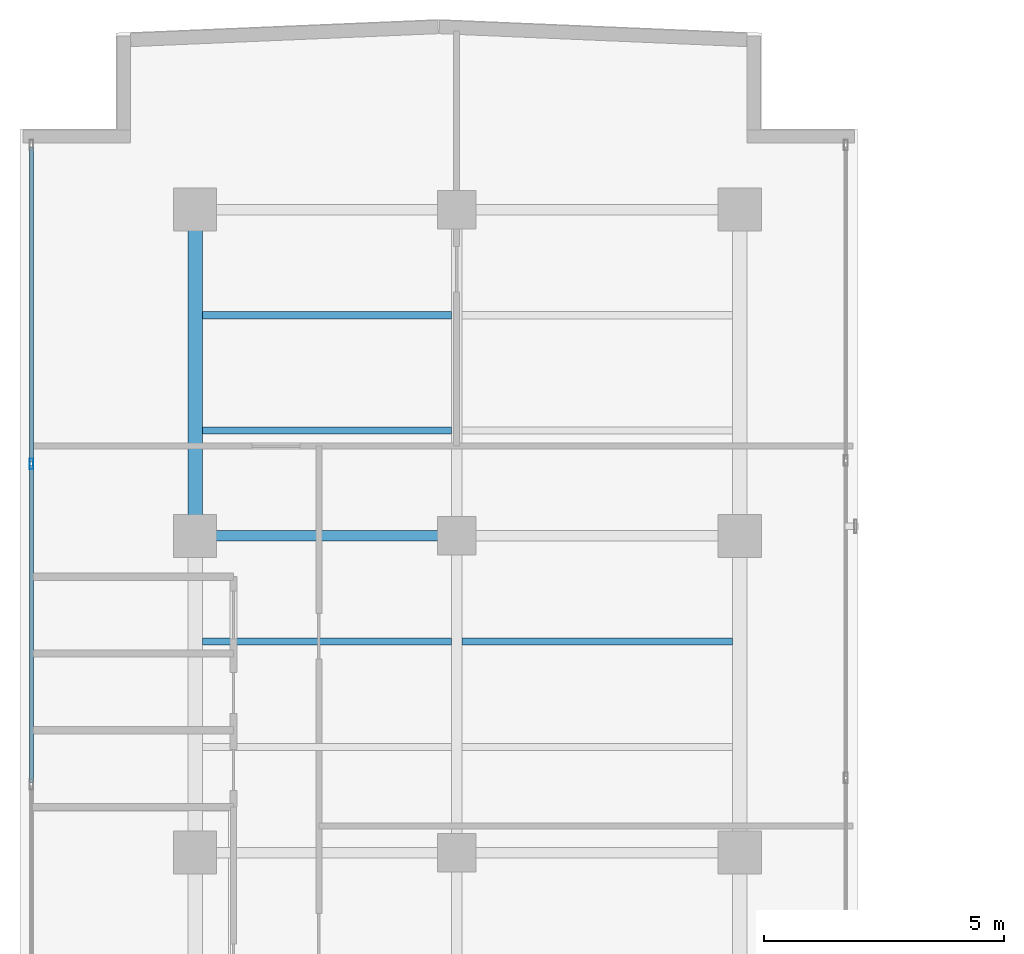
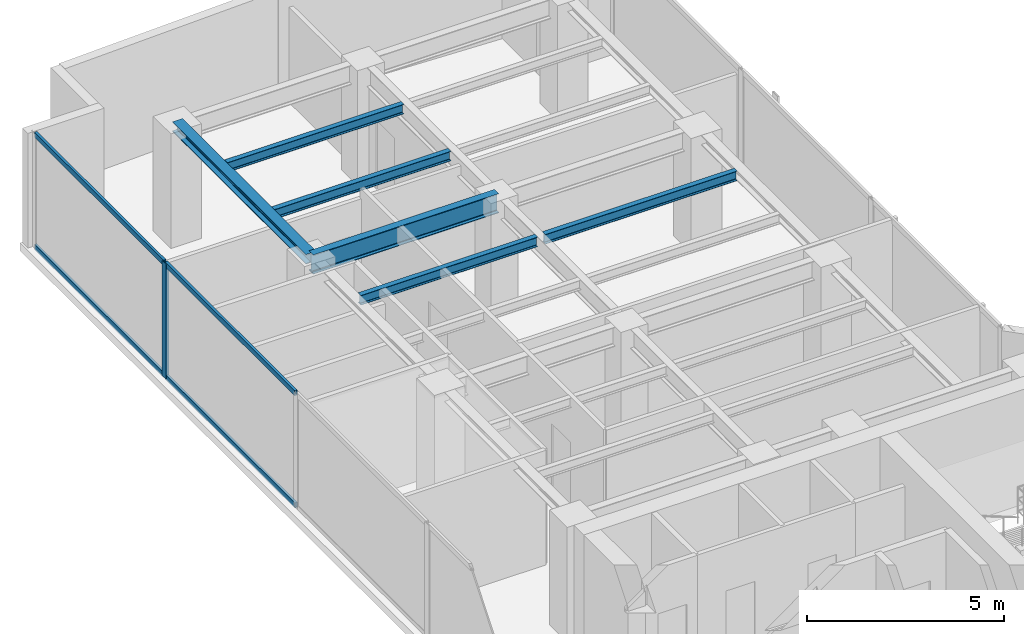
# One storey, part 13 of 24: 6 beams, 5 members, 1 element without a shape of its own.
"""IFC4 building model written with IfcOpenShell, lengths in metres."""

import ifcopenshell
import ifcopenshell.guid

model = None  # the IFC model being written
_history = None  # IfcOwnerHistory: only IFC2X3 demands one
_inside = {}  # id of a spatial element -> (the spatial element, [elements in it])
_under = {}  # id of a project, library or spatial element -> (it, [spatial elements below it])
_declared = {}  # id of a project -> (the project, [libraries it declares])
_typed = {}  # id of a type object -> (the type object, [elements of that type])
_made_of = {}  # id of a material, layer set ... -> (it, [elements and type objects made of it])


def new_model(schema):
    """Start an empty IFC model of exactly this schema.

    Asked for "IFC4X3", IfcOpenShell would pick the latest addendum, in which some entities
    have other attributes; the version numbers below select the first issue.
    IFC2X3 requires an IfcOwnerHistory on every rooted entity: one is made here for all.
    """
    global model, _history
    if schema == "IFC4X3":
        model = ifcopenshell.file(schema_version=(4, 3, 0, 0))
    else:
        model = ifcopenshell.file(schema=schema)
    _inside.clear()
    _under.clear()
    _declared.clear()
    _typed.clear()
    _made_of.clear()
    _history = None
    if model.schema == "IFC2X3":
        org = make("IfcOrganization", Name="unknown")
        user = make(
            "IfcPersonAndOrganization",
            ThePerson=make("IfcPerson", FamilyName="unknown"),
            TheOrganization=org,
        )
        app = make(
            "IfcApplication",
            ApplicationDeveloper=org,
            Version="unknown",
            ApplicationFullName="unknown",
            ApplicationIdentifier="unknown",
        )
        _history = make(
            "IfcOwnerHistory",
            OwningUser=user,
            OwningApplication=app,
            ChangeAction="ADDED",
            CreationDate=0,
        )
    return model


def make(cls, **values):
    """One entity of the class cls with the attributes given. An attribute that is None is left unset."""
    return model.create_entity(
        cls, **{name: value for name, value in values.items() if value is not None}
    )


def rooted(cls, **values):
    """An entity with a GlobalId (a new one), such as an element, a storey or a relation."""
    return make(cls, GlobalId=ifcopenshell.guid.new(), OwnerHistory=_history, **values)


def si_unit(unit_type, name, prefix=None):
    """IfcSIUnit, for example si_unit("LENGTHUNIT", "METRE", prefix="MILLI")."""
    return make("IfcSIUnit", UnitType=unit_type, Prefix=prefix, Name=name)


def assignment(units):
    """IfcUnitAssignment: the units of a project."""
    return None if units is None else make("IfcUnitAssignment", Units=units)


def point(xyz):
    """IfcCartesianPoint."""
    return None if xyz is None else make("IfcCartesianPoint", Coordinates=xyz)


def direction(xyz):
    """IfcDirection."""
    return None if xyz is None else make("IfcDirection", DirectionRatios=xyz)


def frame(location, z_axis=None, x_axis=None):
    """IfcAxis2Placement3D, a coordinate frame: its origin and axes. An axis left out is left unset."""
    return make(
        "IfcAxis2Placement3D",
        Location=point(location),
        Axis=direction(z_axis),
        RefDirection=direction(x_axis),
    )


def frame_2d(location, x_axis=None):
    """IfcAxis2Placement2D, a coordinate frame in the plane: its origin and x axis."""
    return make(
        "IfcAxis2Placement2D", Location=point(location), RefDirection=direction(x_axis)
    )


def origin():
    """The frame at (0, 0, 0) with its axes left unset."""
    return frame((0.0, 0.0, 0.0))


def origin_with_axes():
    """The frame at (0, 0, 0) with the z axis (0, 0, 1) and the x axis (1, 0, 0) written out."""
    return frame((0.0, 0.0, 0.0), z_axis=(0.0, 0.0, 1.0), x_axis=(1.0, 0.0, 0.0))


def origin_2d():
    """The frame at (0, 0) in the plane with its x axis left unset."""
    return frame_2d((0.0, 0.0))


def place(relative_to, where):
    """IfcLocalPlacement: puts the frame where relative to a parent placement (None: the world)."""
    return make(
        "IfcLocalPlacement", PlacementRelTo=relative_to, RelativePlacement=where
    )


def context(
    kind, dimensions, precision=None, world=None, true_north=None, identifier=None
):
    """IfcGeometricRepresentationContext, for example the 3D "Model" context."""
    return make(
        "IfcGeometricRepresentationContext",
        ContextIdentifier=identifier,
        ContextType=kind,
        CoordinateSpaceDimension=dimensions,
        Precision=precision,
        WorldCoordinateSystem=world,
        TrueNorth=true_north,
    )


def subcontext(parent, identifier, kind, view, scale=None):
    """IfcGeometricRepresentationSubContext, for example "Body" below "Model"."""
    return make(
        "IfcGeometricRepresentationSubContext",
        ContextIdentifier=identifier,
        ContextType=kind,
        ParentContext=parent,
        TargetScale=scale,
        TargetView=view,
    )


def project(units=None, contexts=None):
    """IfcProject with its units and contexts."""
    return rooted(
        "IfcProject",
        Name="project",
        RepresentationContexts=contexts,
        UnitsInContext=assignment(units),
    )


def spatial(cls, under=None, at=None, **own):
    """A site, building, storey or space (cls), placed at a placement, below another one or the project."""
    s = rooted(cls, ObjectPlacement=at, **own)
    if under is not None:
        _under.setdefault(under.id(), (under, []))[1].append(s)
    return s


def profile(cls, at=None, kind="AREA", **sizes):
    """A parametric profile (cls). Its sizes go by their IFC names, for example OverallWidth=200.0."""
    return make(cls, ProfileType=kind, Position=at, **sizes)


def hollow_rectangle(**sizes):
    """IfcRectangleHollowProfileDef."""
    return profile("IfcRectangleHollowProfileDef", **sizes)


def i_section(**sizes):
    """IfcIShapeProfileDef."""
    return profile("IfcIShapeProfileDef", **sizes)


def extrude(swept, where, along, depth):
    """IfcExtrudedAreaSolid: the profile swept, set in the frame where, extruded along a direction by depth."""
    return make(
        "IfcExtrudedAreaSolid",
        SweptArea=swept,
        Position=where,
        ExtrudedDirection=direction(along),
        Depth=depth,
    )


def shape(context_of_items, identifier, shape_type, items):
    """IfcShapeRepresentation: the items that make up one representation, for example the "Body"."""
    return make(
        "IfcShapeRepresentation",
        ContextOfItems=context_of_items,
        RepresentationIdentifier=identifier,
        RepresentationType=shape_type,
        Items=items,
    )


def source(mapping_origin, context_of_items, identifier, shape_type, items):
    """IfcRepresentationMap: a shape defined once, which mapped items show again and again."""
    return make(
        "IfcRepresentationMap",
        MappingOrigin=mapping_origin,
        MappedRepresentation=shape(context_of_items, identifier, shape_type, items),
    )


def transform(
    local_origin,
    x_axis=None,
    y_axis=None,
    z_axis=None,
    scale=None,
    scale2=None,
    scale3=None,
    uniform=True,
):
    """IfcCartesianTransformationOperator3D, or its non-uniform kind. x_axis, y_axis, z_axis: its Axis1, 2, 3."""
    if uniform:
        return make(
            "IfcCartesianTransformationOperator3D",
            Axis1=direction(x_axis),
            Axis2=direction(y_axis),
            LocalOrigin=point(local_origin),
            Scale=scale,
            Axis3=direction(z_axis),
        )
    return make(
        "IfcCartesianTransformationOperator3DnonUniform",
        Axis1=direction(x_axis),
        Axis2=direction(y_axis),
        LocalOrigin=point(local_origin),
        Scale=scale,
        Axis3=direction(z_axis),
        Scale2=scale2,
        Scale3=scale3,
    )


def mapped(mapping_source, mapping_target):
    """IfcMappedItem: shows the shape of a source again, moved by a transform."""
    return make(
        "IfcMappedItem", MappingSource=mapping_source, MappingTarget=mapping_target
    )


def material(Name=None, Category=None):
    """IfcMaterial."""
    return make("IfcMaterial", Name=Name, Category=Category)


def layer(
    of_material, thickness, ventilated=None, Name=None, Category=None, Priority=None
):
    """IfcMaterialLayer: one layer of a wall or slab, of a material (None: an air gap)."""
    return make(
        "IfcMaterialLayer",
        Material=of_material,
        LayerThickness=thickness,
        IsVentilated=ventilated,
        Name=Name,
        Category=Category,
        Priority=Priority,
    )


def layer_set(layers, Name=None):
    """IfcMaterialLayerSet."""
    return make("IfcMaterialLayerSet", MaterialLayers=layers, LayerSetName=Name)


def material_profile(
    of_material, cross_section, Name=None, Category=None, Priority=None
):
    """IfcMaterialProfile: a cross section and its material."""
    return make(
        "IfcMaterialProfile",
        Name=Name,
        Material=of_material,
        Profile=cross_section,
        Priority=Priority,
        Category=Category,
    )


def profile_set(profiles, Name=None, composite=None):
    """IfcMaterialProfileSet."""
    return make(
        "IfcMaterialProfileSet",
        Name=Name,
        MaterialProfiles=profiles,
        CompositeProfile=composite,
    )


def made_of(thing, what):
    """Note that an element or type object is made of a material, layer set ...; save() writes the relation."""
    if what is not None:
        _made_of.setdefault(what.id(), (what, []))[1].append(thing)
    return thing


def type_object(cls, material=None, **own):
    """A type object (cls), such as IfcWallType, which elements share."""
    return made_of(rooted(cls, **own), material)


def element(
    cls,
    number,
    at=None,
    inside=None,
    cuts=None,
    type_object=None,
    material=None,
    context=None,
    identifier="Body",
    shape_type=None,
    held_by="IfcProductDefinitionShape",
    body=None,
    shapes=None,
    **own,
):
    """One element of the class cls, such as IfcWall. Its Tag is "e" and its number.

    at: its placement. inside: the storey or other place that contains it. cuts: it is an
    opening in that element (IfcRelVoidsElement). A single representation is given by context,
    identifier, shape_type and body (its items); several are given by shapes. held_by: the class
    of the entity that holds the representations. save() writes the other relations.
    """
    e = rooted(cls, Tag="e%d" % number, ObjectPlacement=at, **own)
    if body is not None:
        shapes = [shape(context, identifier, shape_type, body)]
    if shapes is not None:
        e.Representation = make(held_by, Representations=shapes)
    if inside is not None:
        _inside.setdefault(inside.id(), (inside, []))[1].append(e)
    if cuts is not None:
        rooted(
            "IfcRelVoidsElement", RelatingBuildingElement=cuts, RelatedOpeningElement=e
        )
    if type_object is not None:
        _typed.setdefault(type_object.id(), (type_object, []))[1].append(e)
    return made_of(e, material)


def aggregate(whole, parts):
    """IfcRelAggregates: a whole, such as a stair, and the parts it consists of."""
    return rooted("IfcRelAggregates", RelatingObject=whole, RelatedObjects=parts)


def save(model, path):
    """Write the relations noted so far, then the file.

    IfcRelAggregates (storeys below a building ...), IfcRelContainedInSpatialStructure (elements
    in a storey), IfcRelDefinesByType, IfcRelAssociatesMaterial and IfcRelDeclares: one each for
    every whole, place, type object, material and project.
    """
    for whole, parts in _under.values():
        aggregate(whole, parts)
    for where, things in _inside.values():
        rooted(
            "IfcRelContainedInSpatialStructure",
            RelatedElements=things,
            RelatingStructure=where,
        )
    for kind, things in _typed.values():
        rooted("IfcRelDefinesByType", RelatedObjects=things, RelatingType=kind)
    for what, things in _made_of.values():
        rooted("IfcRelAssociatesMaterial", RelatedObjects=things, RelatingMaterial=what)
    for by, libraries in _declared.values():
        rooted("IfcRelDeclares", RelatingContext=by, RelatedDefinitions=libraries)
    model.write(path)


model = new_model("IFC4")

# Units and contexts
model_context = context("Model", 3, precision=1e-05, world=origin(), true_north=direction((0.0, 1.0)))
body_context = subcontext(model_context, "Body", "Model", "MODEL_VIEW")
ifc_project = project(units=[si_unit("LENGTHUNIT", "METRE"), si_unit("AREAUNIT", "SQUARE_METRE"), si_unit("VOLUMEUNIT", "CUBIC_METRE"), si_unit("PLANEANGLEUNIT", "RADIAN"), si_unit("MASSUNIT", "GRAM", prefix="KILO")], contexts=[model_context])

# Site, building, storey
site_placement = place(None, origin())
site = spatial("IfcSite", under=ifc_project, at=site_placement, CompositionType="ELEMENT")
building_placement = place(site_placement, origin())
building = spatial("IfcBuilding", under=site, at=building_placement, Name="Kolvaren Waterfront Exchange", CompositionType="ELEMENT")
storey_placement = place(building_placement, frame((0.0, 0.0, 316.0)))
storey = spatial("IfcBuildingStorey", under=building, at=storey_placement, Name="L81", CompositionType="ELEMENT", Elevation=316.0)

# Beams
ifc_material_1 = material(Name="Steel S355", Category="steel")
ifc_material_profile_1 = material_profile(ifc_material_1, i_section(OverallWidth=0.300048828125, OverallDepth=0.300048828125, WebThickness=0.010986328125, FlangeThickness=0.01904296875, FilletRadius=0.027099609375, at=origin_2d()), Name="HEB300")
ifc_profile_set_1 = profile_set([ifc_material_profile_1], Name="Steel S355")
beam_type_1 = type_object("IfcBeamType", Name="STR-BM-HEB300", PredefinedType="SPANDREL", material=ifc_profile_set_1)
beam_1_placement = place(storey_placement, frame((7.449951171875, 37.800048828125, 3.409912109375), z_axis=(0.0, 1.0, 0.0), x_axis=(-1.0, 0.0, 0.0)))
element("IfcBeam", 1, at=beam_1_placement, inside=storey, type_object=beam_type_1, Name="L81 north-arm edge beam 3", PredefinedType="SPANDREL", context=body_context, shape_type="SweptSolid", body=[
    extrude(i_section(OverallWidth=0.300048828125, OverallDepth=0.300048828125, WebThickness=0.010986328125, FlangeThickness=0.01904296875, FilletRadius=0.027099609375, at=origin_2d()), origin(), (0.0, 0.0, 1.0), 6.800048828125),
])
ifc_material_profile_2 = material_profile(ifc_material_1, i_section(OverallWidth=0.14990234375, OverallDepth=0.300048828125, WebThickness=0.007080078125, FlangeThickness=0.0107421875, FilletRadius=0.014892578125, at=origin_2d()), Name="IPE300")
ifc_profile_set_2 = profile_set([ifc_material_profile_2], Name="Steel S355")
beam_type_2 = type_object("IfcBeamType", Name="STR-BM-IPE300", PredefinedType="JOIST", material=ifc_profile_set_2)
beam_2_placement = place(storey_placement, frame((7.60205078125, 35.60009765625, 3.409912109375), z_axis=(1.0, 0.0, 0.0), x_axis=(0.0, 1.0, 0.0)))
element("IfcBeam", 2, at=beam_2_placement, inside=storey, type_object=beam_type_2, Name="L81 north-arm composite joist 4A", PredefinedType="JOIST", context=body_context, shape_type="SweptSolid", body=[
    extrude(i_section(OverallWidth=0.14990234375, OverallDepth=0.300048828125, WebThickness=0.007080078125, FlangeThickness=0.0107421875, FilletRadius=0.014892578125, at=origin_2d()), origin(), (0.0, 0.0, 1.0), 5.18603515625),
])
beam_3_placement = place(storey_placement, frame((13.011962890625, 35.60009765625, 3.409912109375), z_axis=(1.0, 0.0, 0.0), x_axis=(0.0, 1.0, 0.0)))
element("IfcBeam", 3, at=beam_3_placement, inside=storey, type_object=beam_type_2, Name="L81 north-arm composite joist 4B", PredefinedType="JOIST", context=body_context, shape_type="SweptSolid", body=[
    extrude(i_section(OverallWidth=0.14990234375, OverallDepth=0.300048828125, WebThickness=0.007080078125, FlangeThickness=0.0107421875, FilletRadius=0.014892578125, at=origin_2d()), origin(), (0.0, 0.0, 1.0), 5.635986328125),
])
for number, where, z_axis, x_axis, name in (
    (4, (7.60205078125, 40.0, 3.409912109375), (1.0, 0.0, 0.0), (0.0, 1.0, 0.0), "L81 north-arm composite joist 5A"),
    (5, (7.60205078125, 42.39990234375, 3.409912109375), (1.0, 0.0, 0.0), (0.0, 1.0, 0.0), "L81 north-arm composite joist 6A"),
):
    element("IfcBeam", number, at=place(storey_placement, frame(where, z_axis=z_axis, x_axis=x_axis)), inside=storey, type_object=beam_type_2, Name=name, PredefinedType="JOIST", context=body_context, shape_type="SweptSolid", body=[
        extrude(i_section(OverallWidth=0.14990234375, OverallDepth=0.300048828125, WebThickness=0.007080078125, FlangeThickness=0.0107421875, FilletRadius=0.014892578125, at=origin_2d()), origin(), (0.0, 0.0, 1.0), 5.18603515625),
    ])
ifc_material_profile_3 = material_profile(ifc_material_1, i_section(OverallWidth=0.219970703125, OverallDepth=0.60009765625, WebThickness=0.011962890625, FlangeThickness=0.01904296875, FilletRadius=0.02392578125, at=origin_2d()), Name="IPE600")
ifc_profile_set_3 = profile_set([ifc_material_profile_3], Name="Steel S355")
beam_type_3 = type_object("IfcBeamType", Name="STR-BM-IPE600", PredefinedType="BEAM", material=ifc_profile_set_3)
beam_4_placement = place(storey_placement, frame((7.449951171875, 37.800048828125, 3.260009765625), z_axis=(1.0, 0.0, 0.0), x_axis=(0.0, 1.0, 0.0)))
element("IfcBeam", 6, at=beam_4_placement, inside=storey, type_object=beam_type_3, Name="L81 north-arm girder 3A", PredefinedType="BEAM", context=body_context, shape_type="SweptSolid", body=[
    extrude(i_section(OverallWidth=0.219970703125, OverallDepth=0.60009765625, WebThickness=0.011962890625, FlangeThickness=0.01904296875, FilletRadius=0.02392578125, at=origin_2d()), origin(), (0.0, 0.0, 1.0), 5.449951171875),
])

# Curtain wall, members
ifc_material_2 = material(Name="Anodised aluminium 6063-T6", Category="aluminium")
ifc_layer = layer(ifc_material_2, 0.219970703125, Name="Anodised aluminium 6063-T6")
ifc_layer_set = layer_set([ifc_layer], Name="Anodised aluminium 6063-T6")
curtain_wall_type = type_object("IfcCurtainWallType", Name="ARC-CW-SYS2", PredefinedType="USERDEFINED", material=ifc_layer_set)
curtain_wall_placement = place(storey_placement, origin())
curtain_wall = element("IfcCurtainWall", 7, at=curtain_wall_placement, inside=storey, type_object=curtain_wall_type, Name="L81 stick curtain wall CW2 (CW-L81-W)", ObjectType="STICK CURTAIN WALL", PredefinedType="USERDEFINED")
ifc_material_profile_4 = material_profile(ifc_material_2, hollow_rectangle(XDim=0.080078125, YDim=0.219970703125, WallThickness=0.0048828125, at=origin_2d()), Name="ALU-MUL-220x80x5")
ifc_profile_set_4 = profile_set([ifc_material_profile_4], Name="Anodised aluminium 6063-T6")
member_type_1 = type_object("IfcMemberType", Name="ARC-CWM-220", PredefinedType="MULLION", material=ifc_profile_set_4)
shared_shape_1 = source(origin_with_axes(), body_context, "Body", "SweptSolid", [
    extrude(hollow_rectangle(XDim=0.080078125, YDim=0.219970703125, WallThickness=0.0048828125, at=origin_2d()), origin(), (0.0, 0.0, 1.0), 3.56005859375),
])
member_1_placement = place(storey_placement, frame((4.0400390625, 39.303466796875, 0.0), z_axis=(0.0, 0.0, 1.0), x_axis=(-1.0, 0.0, 0.0)))
member_1 = element("IfcMember", 8, at=member_1_placement, type_object=member_type_1, Name="CW2 mullion 6", PredefinedType="MULLION", context=body_context, shape_type="MappedRepresentation", body=[
    mapped(shared_shape_1, transform((0.0, 0.0, 0.0), x_axis=(1.0, 0.0, 0.0), y_axis=(0.0, 1.0, 0.0), z_axis=(0.0, 0.0, 1.0), scale=1.0)),
])
ifc_material_profile_5 = material_profile(ifc_material_2, hollow_rectangle(XDim=0.074951171875, YDim=0.159912109375, WallThickness=0.00439453125, at=origin_2d()), Name="ALU-TRN-160x75x4.5")
ifc_profile_set_5 = profile_set([ifc_material_profile_5], Name="Anodised aluminium 6063-T6")
member_type_2 = type_object("IfcMemberType", Name="ARC-CWT-160", PredefinedType="USERDEFINED", material=ifc_profile_set_5)
shared_shape_2 = source(origin_with_axes(), body_context, "Body", "SweptSolid", [
    extrude(hollow_rectangle(XDim=0.074951171875, YDim=0.159912109375, WallThickness=0.00439453125, at=origin_2d()), origin(), (0.0, 0.0, 1.0), 6.560791015625),
])
member_2_placement = place(storey_placement, frame((4.0400390625, 39.343505859375, 0.03759765625), z_axis=(0.0, 1.0, 0.0), x_axis=(-1.0, 0.0, 0.0)))
member_2 = element("IfcMember", 9, at=member_2_placement, type_object=member_type_2, Name="CW2 transom 6.1", ObjectType="TRANSOM", PredefinedType="USERDEFINED", context=body_context, shape_type="MappedRepresentation", body=[
    mapped(shared_shape_2, transform((0.0, 0.0, 0.0), x_axis=(1.0, 0.0, 0.0), y_axis=(0.0, 1.0, 0.0), z_axis=(0.0, 0.0, 1.0), scale=1.0)),
])
member_3_placement = place(storey_placement, frame((4.0400390625, 39.343505859375, 3.5224609375), z_axis=(0.0, 1.0, 0.0), x_axis=(-1.0, 0.0, 0.0)))
member_3 = element("IfcMember", 10, at=member_3_placement, type_object=member_type_2, Name="CW2 transom 6.2", ObjectType="TRANSOM", PredefinedType="USERDEFINED", context=body_context, shape_type="MappedRepresentation", body=[
    mapped(shared_shape_2, transform((0.0, 0.0, 0.0), x_axis=(1.0, 0.0, 0.0), y_axis=(0.0, 1.0, 0.0), z_axis=(0.0, 0.0, 1.0), scale=1.0)),
])
shared_shape_3 = source(origin_with_axes(), body_context, "Body", "SweptSolid", [
    extrude(hollow_rectangle(XDim=0.074951171875, YDim=0.159912109375, WallThickness=0.00439453125, at=origin_2d()), origin(), (0.0, 0.0, 1.0), 6.6005859375),
])
member_4_placement = place(storey_placement, frame((4.0400390625, 32.662841796875, 0.03759765625), z_axis=(0.0, 1.0, 0.0), x_axis=(-1.0, 0.0, 0.0)))
member_4 = element("IfcMember", 11, at=member_4_placement, type_object=member_type_2, Name="CW2 transom 5.1", ObjectType="TRANSOM", PredefinedType="USERDEFINED", context=body_context, shape_type="MappedRepresentation", body=[
    mapped(shared_shape_3, transform((0.0, 0.0, 0.0), x_axis=(1.0, 0.0, 0.0), y_axis=(0.0, 1.0, 0.0), z_axis=(0.0, 0.0, 1.0), scale=1.0)),
])
member_5_placement = place(storey_placement, frame((4.0400390625, 32.662841796875, 3.5224609375), z_axis=(0.0, 1.0, 0.0), x_axis=(-1.0, 0.0, 0.0)))
member_5 = element("IfcMember", 12, at=member_5_placement, type_object=member_type_2, Name="CW2 transom 5.2", ObjectType="TRANSOM", PredefinedType="USERDEFINED", context=body_context, shape_type="MappedRepresentation", body=[
    mapped(shared_shape_3, transform((0.0, 0.0, 0.0), x_axis=(1.0, 0.0, 0.0), y_axis=(0.0, 1.0, 0.0), z_axis=(0.0, 0.0, 1.0), scale=1.0)),
])
aggregate(curtain_wall, [member_1, member_4, member_5, member_2, member_3])

save(model, "model.ifc")
